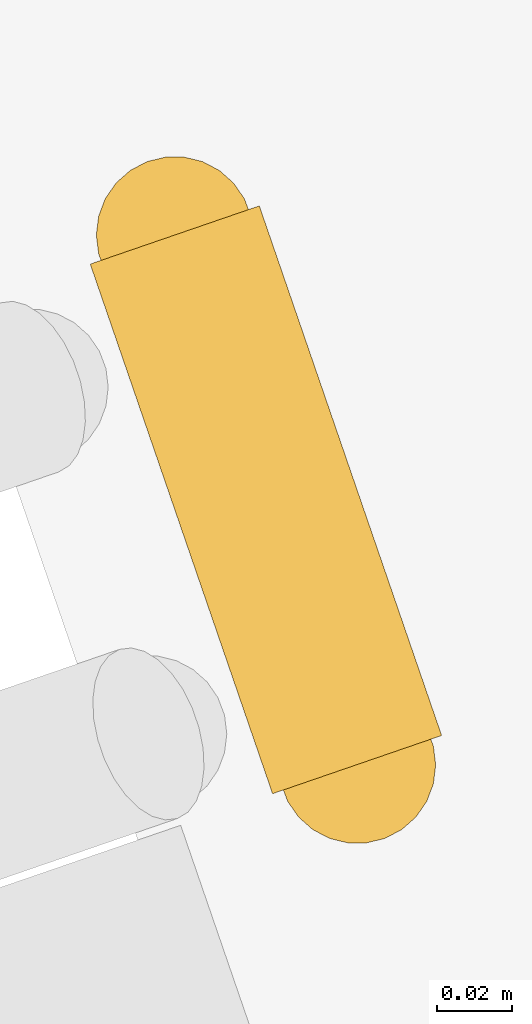
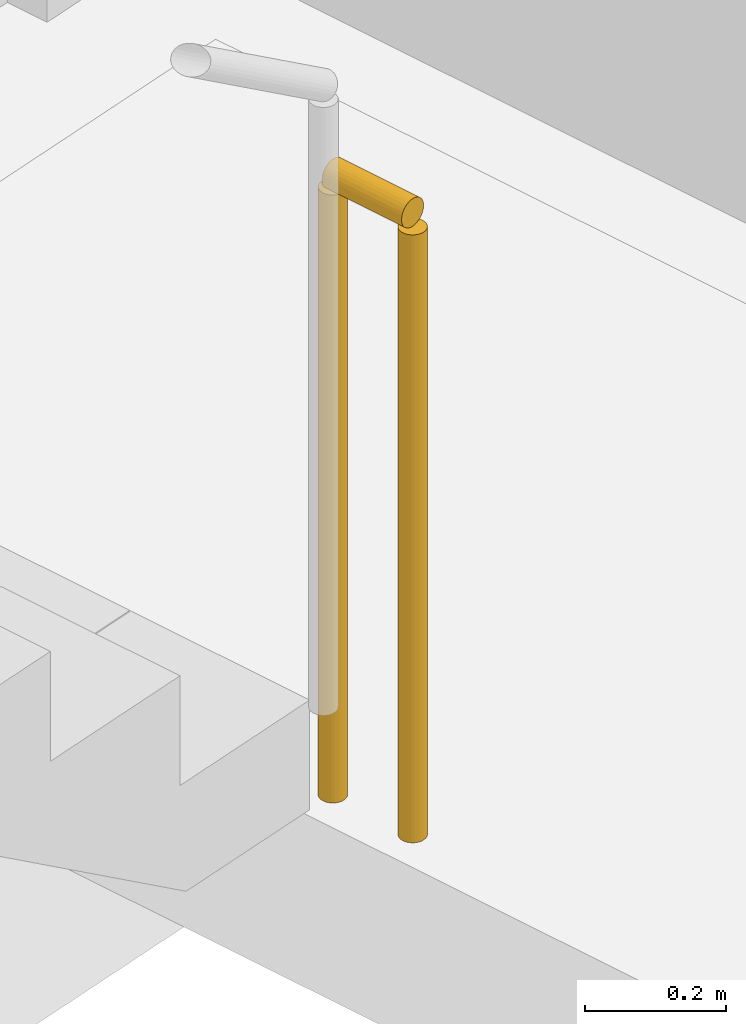
# One storey, part 16 of 18: 1 railing.
"""IFC4 building model written with IfcOpenShell, lengths in metres."""

from ifc_helpers import new_model, si_unit, direction, frame, origin, origin_2d, place, context, subcontext, project, spatial, circle, extrude, material, type_object, element, save


model = new_model("IFC4")

# Units and contexts
model_context = context("Model", 3, precision=1e-05, world=origin(), true_north=direction((0.0, 1.0)))
body_context = subcontext(model_context, "Body", "Model", "MODEL_VIEW")
ifc_project = project(units=[si_unit("LENGTHUNIT", "METRE"), si_unit("AREAUNIT", "SQUARE_METRE"), si_unit("VOLUMEUNIT", "CUBIC_METRE"), si_unit("PLANEANGLEUNIT", "RADIAN"), si_unit("MASSUNIT", "GRAM", prefix="KILO")], contexts=[model_context])

# Site, building, storey
site_placement = place(None, origin())
site = spatial("IfcSite", under=ifc_project, at=site_placement, CompositionType="ELEMENT")
building_placement = place(site_placement, origin())
building = spatial("IfcBuilding", under=site, at=building_placement, Name="Cantera Rosa Tower", CompositionType="ELEMENT")
storey_placement = place(building_placement, frame((0.0, 0.0, 100.300048828125)))
storey = spatial("IfcBuildingStorey", under=building, at=storey_placement, Name="L19", CompositionType="ELEMENT", Elevation=100.300048828125)

# Railing
ifc_material = material(Name="Steel S355J2 (EN 10025-2)", Category="steel")
railing_type = type_object("IfcRailingType", Name="STAIR GUARD 1100", PredefinedType="GUARDRAIL", material=ifc_material)
railing_placement = place(storey_placement, frame((9.3466796875, 15.742919921875, 0.0)))
element("IfcRailing", 1, at=railing_placement, inside=storey, type_object=railing_type, Name="L19 ST-21 stair guard 3", PredefinedType="GUARDRAIL", context=body_context, shape_type="SweptSolid", body=[
    extrude(circle(Radius=0.02392578125, at=origin_2d()), frame((0.0, 0.0, 1.076171875), z_axis=(0.325489086777, -0.945545797087, 0.0), x_axis=(0.945545797087, 0.325489086777, 0.0)), (0.0, 0.0, 1.0), 0.14990234375),
    extrude(circle(Radius=0.02099609375, at=origin_2d()), origin(), (0.0, 0.0, 1.0), 1.052001953125),
    extrude(circle(Radius=0.02099609375, at=origin_2d()), frame((0.048828125, -0.141845703125, 0.0)), (0.0, 0.0, 1.0), 1.052001953125),
])

save(model, "model.ifc")
